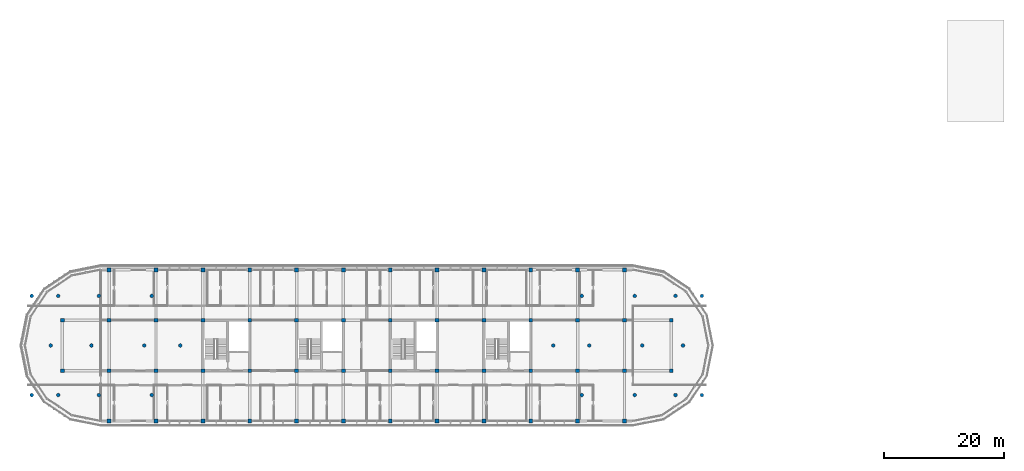
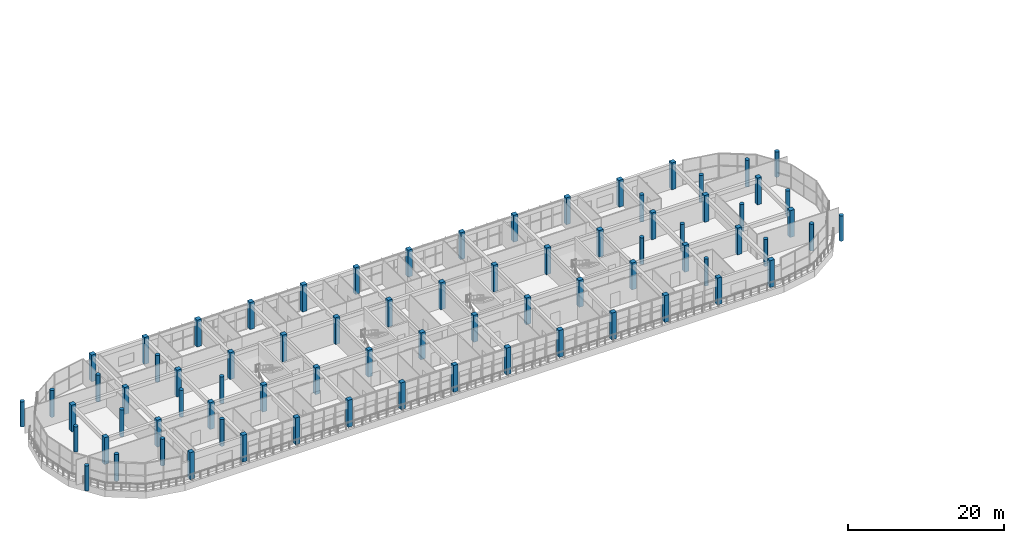
# One storey, part 1 of 57: 76 columns.
"""IFC4 building model written with IfcOpenShell, lengths in metres."""

from ifc_helpers import new_model, si_unit, direction, frame, origin, origin_2d, place, context, subcontext, project, spatial, rectangle, circle, extrude, material, material_profile, profile_set, type_object, element, save


model = new_model("IFC4")

# Units and contexts
model_context = context("Model", 3, precision=1e-05, world=origin(), true_north=direction((0.0, 1.0)))
body_context = subcontext(model_context, "Body", "Model", "MODEL_VIEW")
ifc_project = project(units=[si_unit("LENGTHUNIT", "METRE"), si_unit("AREAUNIT", "SQUARE_METRE"), si_unit("VOLUMEUNIT", "CUBIC_METRE"), si_unit("PLANEANGLEUNIT", "RADIAN"), si_unit("MASSUNIT", "GRAM", prefix="KILO")], contexts=[model_context])

# Site, building, storey
site_placement = place(None, origin())
site = spatial("IfcSite", under=ifc_project, at=site_placement, CompositionType="ELEMENT")
building_placement = place(site_placement, origin())
building = spatial("IfcBuilding", under=site, at=building_placement, Name="Zizhar Promenade General Hospital", CompositionType="ELEMENT")
storey_placement = place(building_placement, frame((0.0, 0.0, 22.199951171875)))
storey = spatial("IfcBuildingStorey", under=building, at=storey_placement, Name="L05", CompositionType="ELEMENT", Elevation=22.199951171875)

# Columns
ifc_material_1 = material(Name="Concrete C40/50", Category="concrete")
ifc_material_profile_1 = material_profile(ifc_material_1, circle(Radius=0.300048828125, at=origin_2d()))
ifc_profile_set_1 = profile_set([ifc_material_profile_1], Name="Concrete C40/50")
column_type_1 = type_object("IfcColumnType", Name="COL-CIRC-600", PredefinedType="PILASTER", material=ifc_profile_set_1)
for number, where, z_axis, x_axis, name in (
    (1, (18.300048828125, 4.35009765625, 0.0), (0.0, 0.0, 1.0), (1.0, 0.0, 0.0), "Ward Terrace Interior Support Column L06-W0 (L05)"),
    (2, (18.300048828125, 20.85009765625, 0.0), (0.0, 0.0, 1.0), (1.0, 0.0, 0.0), "Ward Terrace Interior Support Column L06-W1 (L05)"),
    (3, (21.449951171875, 12.60009765625, 0.0), (0.0, 0.0, 1.0), (1.0, 0.0, 0.0), "Ward Terrace Interior Support Column L06-W2 (L05)"),
    (4, (129.89990234375, 4.35009765625, 0.0), (0.0, 0.0, 1.0), (1.0, 0.0, 0.0), "Ward Terrace Interior Support Column L06-E0 (L05)"),
    (5, (129.89990234375, 20.85009765625, 0.0), (0.0, 0.0, 1.0), (1.0, 0.0, 0.0), "Ward Terrace Interior Support Column L06-E1 (L05)"),
    (6, (126.75, 12.60009765625, 0.0), (0.0, 0.0, 1.0), (1.0, 0.0, 0.0), "Ward Terrace Interior Support Column L06-E2 (L05)"),
):
    element("IfcColumn", number, at=place(storey_placement, frame(where, z_axis=z_axis, x_axis=x_axis)), inside=storey, type_object=column_type_1, Name=name, PredefinedType="PILASTER", context=body_context, shape_type="SweptSolid", body=[
        extrude(circle(Radius=0.300048828125, at=origin_2d()), origin(), (0.0, 0.0, 1.0), 3.949951171875),
    ])
for number, where, z_axis, x_axis, name in (
    (7, (22.699951171875, 4.35009765625, 0.0), (0.0, 0.0, 1.0), (1.0, 0.0, 0.0), "Ward Terrace Interior Support Column L07-W0 (L05)"),
    (8, (22.699951171875, 20.85009765625, 0.0), (0.0, 0.0, 1.0), (1.0, 0.0, 0.0), "Ward Terrace Interior Support Column L07-W1 (L05)"),
    (9, (28.25, 12.60009765625, 0.0), (0.0, 0.0, 1.0), (1.0, 0.0, 0.0), "Ward Terrace Interior Support Column L07-W2 (L05)"),
    (10, (125.5, 4.35009765625, 0.0), (0.0, 0.0, 1.0), (1.0, 0.0, 0.0), "Ward Terrace Interior Support Column L07-E0 (L05)"),
    (11, (125.5, 20.85009765625, 0.0), (0.0, 0.0, 1.0), (1.0, 0.0, 0.0), "Ward Terrace Interior Support Column L07-E1 (L05)"),
    (12, (119.949951171875, 12.60009765625, 0.0), (0.0, 0.0, 1.0), (1.0, 0.0, 0.0), "Ward Terrace Interior Support Column L07-E2 (L05)"),
    (13, (29.5, 4.35009765625, 0.0), (0.0, 0.0, 1.0), (1.0, 0.0, 0.0), "Ward Terrace Interior Support Column L08-W0 (L05)"),
    (14, (29.5, 20.85009765625, 0.0), (0.0, 0.0, 1.0), (1.0, 0.0, 0.0), "Ward Terrace Interior Support Column L08-W1 (L05)"),
    (15, (37.050048828125, 12.60009765625, 0.0), (0.0, 0.0, 1.0), (1.0, 0.0, 0.0), "Ward Terrace Interior Support Column L08-W2 (L05)"),
    (16, (118.699951171875, 4.35009765625, 0.0), (0.0, 0.0, 1.0), (1.0, 0.0, 0.0), "Ward Terrace Interior Support Column L08-E0 (L05)"),
    (17, (118.699951171875, 20.85009765625, 0.0), (0.0, 0.0, 1.0), (1.0, 0.0, 0.0), "Ward Terrace Interior Support Column L08-E1 (L05)"),
    (18, (111.14990234375, 12.60009765625, 0.0), (0.0, 0.0, 1.0), (1.0, 0.0, 0.0), "Ward Terrace Interior Support Column L08-E2 (L05)"),
    (19, (38.300048828125, 4.35009765625, 0.0), (0.0, 0.0, 1.0), (1.0, 0.0, 0.0), "Ward Terrace Interior Support Column L09-W0 (L05)"),
    (20, (38.300048828125, 20.85009765625, 0.0), (0.0, 0.0, 1.0), (1.0, 0.0, 0.0), "Ward Terrace Interior Support Column L09-W1 (L05)"),
    (21, (43.050048828125, 12.60009765625, 0.0), (0.0, 0.0, 1.0), (1.0, 0.0, 0.0), "Ward Terrace Interior Support Column L09-W2 (L05)"),
    (22, (109.89990234375, 4.35009765625, 0.0), (0.0, 0.0, 1.0), (1.0, 0.0, 0.0), "Ward Terrace Interior Support Column L09-E0 (L05)"),
    (23, (109.89990234375, 20.85009765625, 0.0), (0.0, 0.0, 1.0), (1.0, 0.0, 0.0), "Ward Terrace Interior Support Column L09-E1 (L05)"),
    (24, (105.14990234375, 12.60009765625, 0.0), (0.0, 0.0, 1.0), (1.0, 0.0, 0.0), "Ward Terrace Interior Support Column L09-E2 (L05)"),
):
    element("IfcColumn", number, at=place(storey_placement, frame(where, z_axis=z_axis, x_axis=x_axis)), inside=storey, type_object=column_type_1, Name=name, PredefinedType="PILASTER", context=body_context, shape_type="SweptSolid", body=[
        extrude(circle(Radius=0.300048828125, at=origin_2d()), origin(), (0.0, 0.0, 1.0), 4.199951171875),
    ])
ifc_material_2 = material(Name="Concrete C40/50", Category="concrete")
ifc_material_profile_2 = material_profile(ifc_material_2, rectangle(XDim=0.64990234375, YDim=0.64990234375, at=origin_2d()))
ifc_profile_set_2 = profile_set([ifc_material_profile_2], Name="Concrete C40/50")
column_type_2 = type_object("IfcColumnType", Name="COL-RC-650", PredefinedType="COLUMN", material=ifc_profile_set_2)
for number, where, z_axis, x_axis, name in (
    (25, (23.39990234375, 8.39990234375, 0.0), (0.0, 0.0, 1.0), (1.0, 0.0, 0.0), "Column 4-B (L05)"),
    (26, (23.39990234375, 16.800048828125, 0.0), (0.0, 0.0, 1.0), (1.0, 0.0, 0.0), "Column 4-C (L05)"),
    (27, (31.199951171875, 0.0, 0.0), (0.0, 0.0, 1.0), (1.0, 0.0, 0.0), "Column 5-A (L05)"),
    (28, (31.199951171875, 8.39990234375, 0.0), (0.0, 0.0, 1.0), (1.0, 0.0, 0.0), "Column 5-B (L05)"),
    (29, (31.199951171875, 16.800048828125, 0.0), (0.0, 0.0, 1.0), (1.0, 0.0, 0.0), "Column 5-C (L05)"),
    (30, (31.199951171875, 25.199951171875, 0.0), (0.0, 0.0, 1.0), (1.0, 0.0, 0.0), "Column 5-D (L05)"),
    (31, (39.0, 0.0, 0.0), (0.0, 0.0, 1.0), (1.0, 0.0, 0.0), "Column 6-A (L05)"),
    (32, (39.0, 8.39990234375, 0.0), (0.0, 0.0, 1.0), (1.0, 0.0, 0.0), "Column 6-B (L05)"),
    (33, (39.0, 16.800048828125, 0.0), (0.0, 0.0, 1.0), (1.0, 0.0, 0.0), "Column 6-C (L05)"),
    (34, (39.0, 25.199951171875, 0.0), (0.0, 0.0, 1.0), (1.0, 0.0, 0.0), "Column 6-D (L05)"),
    (35, (46.800048828125, 0.0, 0.0), (0.0, 0.0, 1.0), (1.0, 0.0, 0.0), "Column 7-A (L05)"),
    (36, (46.800048828125, 8.39990234375, 0.0), (0.0, 0.0, 1.0), (1.0, 0.0, 0.0), "Column 7-B (L05)"),
    (37, (46.800048828125, 16.800048828125, 0.0), (0.0, 0.0, 1.0), (1.0, 0.0, 0.0), "Column 7-C (L05)"),
    (38, (46.800048828125, 25.199951171875, 0.0), (0.0, 0.0, 1.0), (1.0, 0.0, 0.0), "Column 7-D (L05)"),
    (39, (54.60009765625, 0.0, 0.0), (0.0, 0.0, 1.0), (1.0, 0.0, 0.0), "Column 8-A (L05)"),
    (40, (54.60009765625, 8.39990234375, 0.0), (0.0, 0.0, 1.0), (1.0, 0.0, 0.0), "Column 8-B (L05)"),
    (41, (54.60009765625, 16.800048828125, 0.0), (0.0, 0.0, 1.0), (1.0, 0.0, 0.0), "Column 8-C (L05)"),
    (42, (54.60009765625, 25.199951171875, 0.0), (0.0, 0.0, 1.0), (1.0, 0.0, 0.0), "Column 8-D (L05)"),
    (43, (62.39990234375, 0.0, 0.0), (0.0, 0.0, 1.0), (1.0, 0.0, 0.0), "Column 9-A (L05)"),
    (44, (62.39990234375, 8.39990234375, 0.0), (0.0, 0.0, 1.0), (1.0, 0.0, 0.0), "Column 9-B (L05)"),
    (45, (62.39990234375, 16.800048828125, 0.0), (0.0, 0.0, 1.0), (1.0, 0.0, 0.0), "Column 9-C (L05)"),
    (46, (62.39990234375, 25.199951171875, 0.0), (0.0, 0.0, 1.0), (1.0, 0.0, 0.0), "Column 9-D (L05)"),
    (47, (70.199951171875, 0.0, 0.0), (0.0, 0.0, 1.0), (1.0, 0.0, 0.0), "Column 10-A (L05)"),
    (48, (70.199951171875, 8.39990234375, 0.0), (0.0, 0.0, 1.0), (1.0, 0.0, 0.0), "Column 10-B (L05)"),
    (49, (70.199951171875, 16.800048828125, 0.0), (0.0, 0.0, 1.0), (1.0, 0.0, 0.0), "Column 10-C (L05)"),
    (50, (70.199951171875, 25.199951171875, 0.0), (0.0, 0.0, 1.0), (1.0, 0.0, 0.0), "Column 10-D (L05)"),
    (51, (78.0, 0.0, 0.0), (0.0, 0.0, 1.0), (1.0, 0.0, 0.0), "Column 11-A (L05)"),
    (52, (78.0, 8.39990234375, 0.0), (0.0, 0.0, 1.0), (1.0, 0.0, 0.0), "Column 11-B (L05)"),
    (53, (78.0, 16.800048828125, 0.0), (0.0, 0.0, 1.0), (1.0, 0.0, 0.0), "Column 11-C (L05)"),
    (54, (78.0, 25.199951171875, 0.0), (0.0, 0.0, 1.0), (1.0, 0.0, 0.0), "Column 11-D (L05)"),
    (55, (85.800048828125, 0.0, 0.0), (0.0, 0.0, 1.0), (1.0, 0.0, 0.0), "Column 12-A (L05)"),
    (56, (85.800048828125, 8.39990234375, 0.0), (0.0, 0.0, 1.0), (1.0, 0.0, 0.0), "Column 12-B (L05)"),
    (57, (85.800048828125, 16.800048828125, 0.0), (0.0, 0.0, 1.0), (1.0, 0.0, 0.0), "Column 12-C (L05)"),
    (58, (85.800048828125, 25.199951171875, 0.0), (0.0, 0.0, 1.0), (1.0, 0.0, 0.0), "Column 12-D (L05)"),
    (59, (93.60009765625, 0.0, 0.0), (0.0, 0.0, 1.0), (1.0, 0.0, 0.0), "Column 13-A (L05)"),
    (60, (93.60009765625, 8.39990234375, 0.0), (0.0, 0.0, 1.0), (1.0, 0.0, 0.0), "Column 13-B (L05)"),
    (61, (93.60009765625, 16.800048828125, 0.0), (0.0, 0.0, 1.0), (1.0, 0.0, 0.0), "Column 13-C (L05)"),
    (62, (93.60009765625, 25.199951171875, 0.0), (0.0, 0.0, 1.0), (1.0, 0.0, 0.0), "Column 13-D (L05)"),
    (63, (101.39990234375, 0.0, 0.0), (0.0, 0.0, 1.0), (1.0, 0.0, 0.0), "Column 14-A (L05)"),
    (64, (101.39990234375, 8.39990234375, 0.0), (0.0, 0.0, 1.0), (1.0, 0.0, 0.0), "Column 14-B (L05)"),
    (65, (101.39990234375, 16.800048828125, 0.0), (0.0, 0.0, 1.0), (1.0, 0.0, 0.0), "Column 14-C (L05)"),
    (66, (101.39990234375, 25.199951171875, 0.0), (0.0, 0.0, 1.0), (1.0, 0.0, 0.0), "Column 14-D (L05)"),
    (67, (109.199951171875, 0.0, 0.0), (0.0, 0.0, 1.0), (1.0, 0.0, 0.0), "Column 15-A (L05)"),
    (68, (109.199951171875, 8.39990234375, 0.0), (0.0, 0.0, 1.0), (1.0, 0.0, 0.0), "Column 15-B (L05)"),
    (69, (109.199951171875, 16.800048828125, 0.0), (0.0, 0.0, 1.0), (1.0, 0.0, 0.0), "Column 15-C (L05)"),
    (70, (109.199951171875, 25.199951171875, 0.0), (0.0, 0.0, 1.0), (1.0, 0.0, 0.0), "Column 15-D (L05)"),
    (71, (117.0, 0.0, 0.0), (0.0, 0.0, 1.0), (1.0, 0.0, 0.0), "Column 16-A (L05)"),
    (72, (117.0, 8.39990234375, 0.0), (0.0, 0.0, 1.0), (1.0, 0.0, 0.0), "Column 16-B (L05)"),
    (73, (117.0, 16.800048828125, 0.0), (0.0, 0.0, 1.0), (1.0, 0.0, 0.0), "Column 16-C (L05)"),
    (74, (117.0, 25.199951171875, 0.0), (0.0, 0.0, 1.0), (1.0, 0.0, 0.0), "Column 16-D (L05)"),
    (75, (124.800048828125, 8.39990234375, 0.0), (0.0, 0.0, 1.0), (1.0, 0.0, 0.0), "Column 17-B (L05)"),
    (76, (124.800048828125, 16.800048828125, 0.0), (0.0, 0.0, 1.0), (1.0, 0.0, 0.0), "Column 17-C (L05)"),
):
    element("IfcColumn", number, at=place(storey_placement, frame(where, z_axis=z_axis, x_axis=x_axis)), inside=storey, type_object=column_type_2, Name=name, PredefinedType="COLUMN", context=body_context, shape_type="SweptSolid", body=[
        extrude(rectangle(XDim=0.64990234375, YDim=0.64990234375, at=origin_2d()), origin(), (0.0, 0.0, 1.0), 4.199951171875),
    ])

save(model, "model.ifc")
